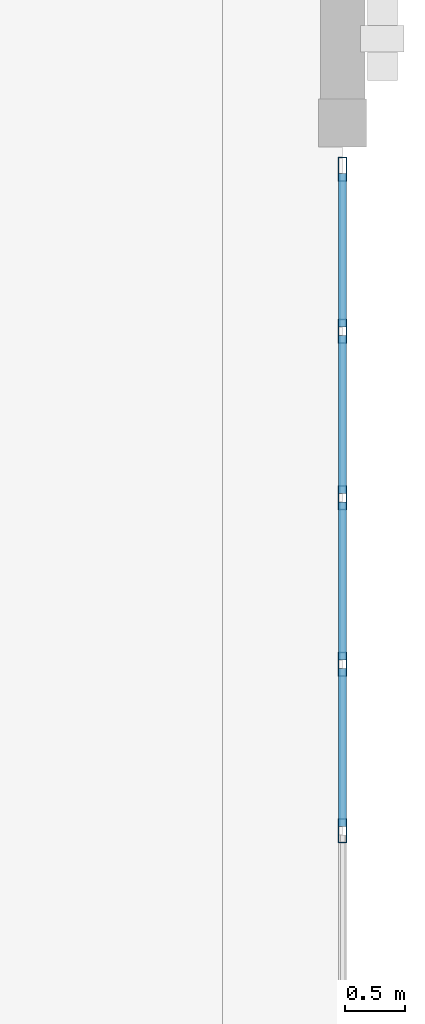
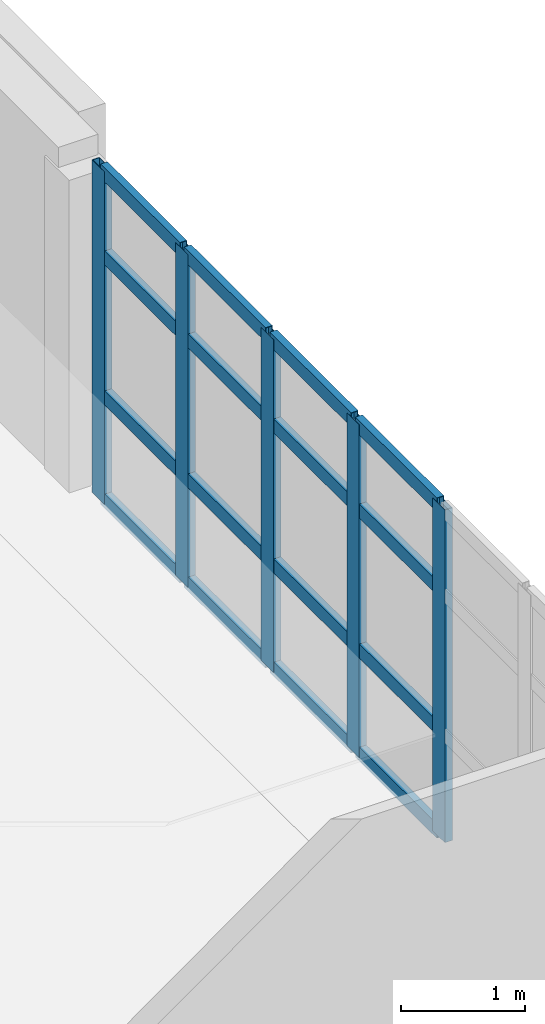
# One storey, part 13 of 30: 21 members, 1 element without a shape of its own.
"""IFC4 building model written with IfcOpenShell, lengths in metres."""

import ifcopenshell
import ifcopenshell.guid

model = None  # the IFC model being written
_history = None  # IfcOwnerHistory: only IFC2X3 demands one
_inside = {}  # id of a spatial element -> (the spatial element, [elements in it])
_under = {}  # id of a project, library or spatial element -> (it, [spatial elements below it])
_declared = {}  # id of a project -> (the project, [libraries it declares])
_typed = {}  # id of a type object -> (the type object, [elements of that type])
_made_of = {}  # id of a material, layer set ... -> (it, [elements and type objects made of it])


def new_model(schema):
    """Start an empty IFC model of exactly this schema.

    Asked for "IFC4X3", IfcOpenShell would pick the latest addendum, in which some entities
    have other attributes; the version numbers below select the first issue.
    IFC2X3 requires an IfcOwnerHistory on every rooted entity: one is made here for all.
    """
    global model, _history
    if schema == "IFC4X3":
        model = ifcopenshell.file(schema_version=(4, 3, 0, 0))
    else:
        model = ifcopenshell.file(schema=schema)
    _inside.clear()
    _under.clear()
    _declared.clear()
    _typed.clear()
    _made_of.clear()
    _history = None
    if model.schema == "IFC2X3":
        org = make("IfcOrganization", Name="unknown")
        user = make(
            "IfcPersonAndOrganization",
            ThePerson=make("IfcPerson", FamilyName="unknown"),
            TheOrganization=org,
        )
        app = make(
            "IfcApplication",
            ApplicationDeveloper=org,
            Version="unknown",
            ApplicationFullName="unknown",
            ApplicationIdentifier="unknown",
        )
        _history = make(
            "IfcOwnerHistory",
            OwningUser=user,
            OwningApplication=app,
            ChangeAction="ADDED",
            CreationDate=0,
        )
    return model


def make(cls, **values):
    """One entity of the class cls with the attributes given. An attribute that is None is left unset."""
    return model.create_entity(
        cls, **{name: value for name, value in values.items() if value is not None}
    )


def rooted(cls, **values):
    """An entity with a GlobalId (a new one), such as an element, a storey or a relation."""
    return make(cls, GlobalId=ifcopenshell.guid.new(), OwnerHistory=_history, **values)


def si_unit(unit_type, name, prefix=None):
    """IfcSIUnit, for example si_unit("LENGTHUNIT", "METRE", prefix="MILLI")."""
    return make("IfcSIUnit", UnitType=unit_type, Prefix=prefix, Name=name)


def assignment(units):
    """IfcUnitAssignment: the units of a project."""
    return None if units is None else make("IfcUnitAssignment", Units=units)


def point(xyz):
    """IfcCartesianPoint."""
    return None if xyz is None else make("IfcCartesianPoint", Coordinates=xyz)


def direction(xyz):
    """IfcDirection."""
    return None if xyz is None else make("IfcDirection", DirectionRatios=xyz)


def frame(location, z_axis=None, x_axis=None):
    """IfcAxis2Placement3D, a coordinate frame: its origin and axes. An axis left out is left unset."""
    return make(
        "IfcAxis2Placement3D",
        Location=point(location),
        Axis=direction(z_axis),
        RefDirection=direction(x_axis),
    )


def frame_2d(location, x_axis=None):
    """IfcAxis2Placement2D, a coordinate frame in the plane: its origin and x axis."""
    return make(
        "IfcAxis2Placement2D", Location=point(location), RefDirection=direction(x_axis)
    )


def origin():
    """The frame at (0, 0, 0) with its axes left unset."""
    return frame((0.0, 0.0, 0.0))


def origin_2d():
    """The frame at (0, 0) in the plane with its x axis left unset."""
    return frame_2d((0.0, 0.0))


def place(relative_to, where):
    """IfcLocalPlacement: puts the frame where relative to a parent placement (None: the world)."""
    return make(
        "IfcLocalPlacement", PlacementRelTo=relative_to, RelativePlacement=where
    )


def context(
    kind, dimensions, precision=None, world=None, true_north=None, identifier=None
):
    """IfcGeometricRepresentationContext, for example the 3D "Model" context."""
    return make(
        "IfcGeometricRepresentationContext",
        ContextIdentifier=identifier,
        ContextType=kind,
        CoordinateSpaceDimension=dimensions,
        Precision=precision,
        WorldCoordinateSystem=world,
        TrueNorth=true_north,
    )


def subcontext(parent, identifier, kind, view, scale=None):
    """IfcGeometricRepresentationSubContext, for example "Body" below "Model"."""
    return make(
        "IfcGeometricRepresentationSubContext",
        ContextIdentifier=identifier,
        ContextType=kind,
        ParentContext=parent,
        TargetScale=scale,
        TargetView=view,
    )


def project(units=None, contexts=None):
    """IfcProject with its units and contexts."""
    return rooted(
        "IfcProject",
        Name="project",
        RepresentationContexts=contexts,
        UnitsInContext=assignment(units),
    )


def spatial(cls, under=None, at=None, **own):
    """A site, building, storey or space (cls), placed at a placement, below another one or the project."""
    s = rooted(cls, ObjectPlacement=at, **own)
    if under is not None:
        _under.setdefault(under.id(), (under, []))[1].append(s)
    return s


def profile(cls, at=None, kind="AREA", **sizes):
    """A parametric profile (cls). Its sizes go by their IFC names, for example OverallWidth=200.0."""
    return make(cls, ProfileType=kind, Position=at, **sizes)


def hollow_rectangle(**sizes):
    """IfcRectangleHollowProfileDef."""
    return profile("IfcRectangleHollowProfileDef", **sizes)


def extrude(swept, where, along, depth):
    """IfcExtrudedAreaSolid: the profile swept, set in the frame where, extruded along a direction by depth."""
    return make(
        "IfcExtrudedAreaSolid",
        SweptArea=swept,
        Position=where,
        ExtrudedDirection=direction(along),
        Depth=depth,
    )


def shape(context_of_items, identifier, shape_type, items):
    """IfcShapeRepresentation: the items that make up one representation, for example the "Body"."""
    return make(
        "IfcShapeRepresentation",
        ContextOfItems=context_of_items,
        RepresentationIdentifier=identifier,
        RepresentationType=shape_type,
        Items=items,
    )


def material(Name=None, Category=None):
    """IfcMaterial."""
    return make("IfcMaterial", Name=Name, Category=Category)


def layer(
    of_material, thickness, ventilated=None, Name=None, Category=None, Priority=None
):
    """IfcMaterialLayer: one layer of a wall or slab, of a material (None: an air gap)."""
    return make(
        "IfcMaterialLayer",
        Material=of_material,
        LayerThickness=thickness,
        IsVentilated=ventilated,
        Name=Name,
        Category=Category,
        Priority=Priority,
    )


def layer_set(layers, Name=None):
    """IfcMaterialLayerSet."""
    return make("IfcMaterialLayerSet", MaterialLayers=layers, LayerSetName=Name)


def material_profile(
    of_material, cross_section, Name=None, Category=None, Priority=None
):
    """IfcMaterialProfile: a cross section and its material."""
    return make(
        "IfcMaterialProfile",
        Name=Name,
        Material=of_material,
        Profile=cross_section,
        Priority=Priority,
        Category=Category,
    )


def profile_set(profiles, Name=None, composite=None):
    """IfcMaterialProfileSet."""
    return make(
        "IfcMaterialProfileSet",
        Name=Name,
        MaterialProfiles=profiles,
        CompositeProfile=composite,
    )


def made_of(thing, what):
    """Note that an element or type object is made of a material, layer set ...; save() writes the relation."""
    if what is not None:
        _made_of.setdefault(what.id(), (what, []))[1].append(thing)
    return thing


def type_object(cls, material=None, **own):
    """A type object (cls), such as IfcWallType, which elements share."""
    return made_of(rooted(cls, **own), material)


def element(
    cls,
    number,
    at=None,
    inside=None,
    cuts=None,
    type_object=None,
    material=None,
    context=None,
    identifier="Body",
    shape_type=None,
    held_by="IfcProductDefinitionShape",
    body=None,
    shapes=None,
    **own,
):
    """One element of the class cls, such as IfcWall. Its Tag is "e" and its number.

    at: its placement. inside: the storey or other place that contains it. cuts: it is an
    opening in that element (IfcRelVoidsElement). A single representation is given by context,
    identifier, shape_type and body (its items); several are given by shapes. held_by: the class
    of the entity that holds the representations. save() writes the other relations.
    """
    e = rooted(cls, Tag="e%d" % number, ObjectPlacement=at, **own)
    if body is not None:
        shapes = [shape(context, identifier, shape_type, body)]
    if shapes is not None:
        e.Representation = make(held_by, Representations=shapes)
    if inside is not None:
        _inside.setdefault(inside.id(), (inside, []))[1].append(e)
    if cuts is not None:
        rooted(
            "IfcRelVoidsElement", RelatingBuildingElement=cuts, RelatedOpeningElement=e
        )
    if type_object is not None:
        _typed.setdefault(type_object.id(), (type_object, []))[1].append(e)
    return made_of(e, material)


def aggregate(whole, parts):
    """IfcRelAggregates: a whole, such as a stair, and the parts it consists of."""
    return rooted("IfcRelAggregates", RelatingObject=whole, RelatedObjects=parts)


def save(model, path):
    """Write the relations noted so far, then the file.

    IfcRelAggregates (storeys below a building ...), IfcRelContainedInSpatialStructure (elements
    in a storey), IfcRelDefinesByType, IfcRelAssociatesMaterial and IfcRelDeclares: one each for
    every whole, place, type object, material and project.
    """
    for whole, parts in _under.values():
        aggregate(whole, parts)
    for where, things in _inside.values():
        rooted(
            "IfcRelContainedInSpatialStructure",
            RelatedElements=things,
            RelatingStructure=where,
        )
    for kind, things in _typed.values():
        rooted("IfcRelDefinesByType", RelatedObjects=things, RelatingType=kind)
    for what, things in _made_of.values():
        rooted("IfcRelAssociatesMaterial", RelatedObjects=things, RelatingMaterial=what)
    for by, libraries in _declared.values():
        rooted("IfcRelDeclares", RelatingContext=by, RelatedDefinitions=libraries)
    model.write(path)


model = new_model("IFC4")

# Units and contexts
model_context = context("Model", 3, precision=1e-05, world=origin(), true_north=direction((0.0, 1.0)))
body_context = subcontext(model_context, "Body", "Model", "MODEL_VIEW")
ifc_project = project(units=[si_unit("LENGTHUNIT", "METRE"), si_unit("AREAUNIT", "SQUARE_METRE"), si_unit("VOLUMEUNIT", "CUBIC_METRE"), si_unit("PLANEANGLEUNIT", "RADIAN"), si_unit("MASSUNIT", "GRAM", prefix="KILO")], contexts=[model_context])

# Site, building, storey
site_placement = place(None, origin())
site = spatial("IfcSite", under=ifc_project, at=site_placement, CompositionType="ELEMENT")
building_placement = place(site_placement, origin())
building = spatial("IfcBuilding", under=site, at=building_placement, Name="Ornek Quay Market", CompositionType="ELEMENT")
storey_placement = place(building_placement, frame((0.0, 0.0, 12.0)))
storey = spatial("IfcBuildingStorey", under=building, at=storey_placement, Name="L03", CompositionType="ELEMENT", Elevation=12.0)

# Curtain wall, members
ifc_material_1 = material(Name="Anodised bronze aluminium and triple low-e glass", Category="aluminium")
ifc_layer = layer(ifc_material_1, 0.18994140625, Name="Anodised bronze aluminium and triple low-e glass", Category="aluminium")
ifc_layer_set = layer_set([ifc_layer], Name="Anodised bronze aluminium and triple low-e glass")
curtain_wall_type = type_object("IfcCurtainWallType", Name="CW-FC-MOD1500", PredefinedType="USERDEFINED", material=ifc_layer_set)
curtain_wall_placement = place(storey_placement, origin())
curtain_wall = element("IfcCurtainWall", 1, at=curtain_wall_placement, inside=storey, type_object=curtain_wall_type, Name="Curtain wall CW-096", ObjectType="CURTAIN WALL", PredefinedType="USERDEFINED")
ifc_material_2 = material(Name="Anodised aluminium 6063-T6", Category="aluminium")
ifc_material_profile_1 = material_profile(ifc_material_2, hollow_rectangle(XDim=0.070068359375, YDim=0.199951171875, WallThickness=0.0048828125, at=origin_2d()), Name="CW-MUL-70x200", Category="aluminium")
ifc_profile_set_1 = profile_set([ifc_material_profile_1], Name="Anodised aluminium 6063-T6")
member_type_1 = type_object("IfcMemberType", Name="CW-MUL-70x200", PredefinedType="MULLION", material=ifc_profile_set_1)
member_1_placement = place(storey_placement, frame((180.0, 50.11669921875, 0.0), z_axis=(0.0, 0.0, 1.0), x_axis=(-1.0, 0.0, 0.0)))
member_1 = element("IfcMember", 2, at=member_1_placement, type_object=member_type_1, Name="CW-096 mullion 3", PredefinedType="MULLION", context=body_context, shape_type="SweptSolid", body=[
    extrude(hollow_rectangle(XDim=0.070068359375, YDim=0.199951171875, WallThickness=0.0048828125, at=origin_2d()), origin(), (0.0, 0.0, 1.0), 3.280029296875),
])
member_2_placement = place(storey_placement, frame((180.0, 51.5, 0.0), z_axis=(0.0, 0.0, 1.0), x_axis=(-1.0, 0.0, 0.0)))
member_2 = element("IfcMember", 3, at=member_2_placement, type_object=member_type_1, Name="CW-096 mullion 4", PredefinedType="MULLION", context=body_context, shape_type="SweptSolid", body=[
    extrude(hollow_rectangle(XDim=0.070068359375, YDim=0.199951171875, WallThickness=0.0048828125, at=origin_2d()), origin(), (0.0, 0.0, 1.0), 3.280029296875),
])
member_3_placement = place(storey_placement, frame((180.0, 52.88330078125, 0.0), z_axis=(0.0, 0.0, 1.0), x_axis=(-1.0, 0.0, 0.0)))
member_3 = element("IfcMember", 4, at=member_3_placement, type_object=member_type_1, Name="CW-096 mullion 5", PredefinedType="MULLION", context=body_context, shape_type="SweptSolid", body=[
    extrude(hollow_rectangle(XDim=0.070068359375, YDim=0.199951171875, WallThickness=0.0048828125, at=origin_2d()), origin(), (0.0, 0.0, 1.0), 3.280029296875),
])
member_4_placement = place(storey_placement, frame((180.0, 54.2666015625, 0.0), z_axis=(0.0, 0.0, 1.0), x_axis=(-1.0, 0.0, 0.0)))
member_4 = element("IfcMember", 5, at=member_4_placement, type_object=member_type_1, Name="CW-096 mullion 6", PredefinedType="MULLION", context=body_context, shape_type="SweptSolid", body=[
    extrude(hollow_rectangle(XDim=0.070068359375, YDim=0.199951171875, WallThickness=0.0048828125, at=origin_2d()), origin(), (0.0, 0.0, 1.0), 3.280029296875),
])
member_5_placement = place(storey_placement, frame((180.0, 55.614990234375, 0.0), z_axis=(0.0, 0.0, 1.0), x_axis=(-1.0, 0.0, 0.0)))
member_5 = element("IfcMember", 6, at=member_5_placement, type_object=member_type_1, Name="CW-096 mullion 7", PredefinedType="MULLION", context=body_context, shape_type="SweptSolid", body=[
    extrude(hollow_rectangle(XDim=0.070068359375, YDim=0.199951171875, WallThickness=0.0048828125, at=origin_2d()), origin(), (0.0, 0.0, 1.0), 3.280029296875),
])
ifc_material_profile_2 = material_profile(ifc_material_2, hollow_rectangle(XDim=0.06494140625, YDim=0.139892578125, WallThickness=0.00439453125, at=origin_2d()), Name="CW-TRN-65x140", Category="aluminium")
ifc_profile_set_2 = profile_set([ifc_material_profile_2], Name="Anodised aluminium 6063-T6")
member_type_2 = type_object("IfcMemberType", Name="CW-TRN-65x140", PredefinedType="USERDEFINED", material=ifc_profile_set_2)
member_6_placement = place(storey_placement, frame((180.0, 50.151611328125, 0.032470703125), z_axis=(0.0, 1.0, 0.0), x_axis=(-1.0, 0.0, 0.0)))
member_6 = element("IfcMember", 7, at=member_6_placement, type_object=member_type_2, Name="CW-096 transom 3.1", ObjectType="TRANSOM", PredefinedType="USERDEFINED", context=body_context, shape_type="SweptSolid", body=[
    extrude(hollow_rectangle(XDim=0.06494140625, YDim=0.139892578125, WallThickness=0.00439453125, at=origin_2d()), origin(), (0.0, 0.0, 1.0), 1.3134765625),
])
member_7_placement = place(storey_placement, frame((180.0, 50.151611328125, 1.050048828125), z_axis=(0.0, 1.0, 0.0), x_axis=(-1.0, 0.0, 0.0)))
member_7 = element("IfcMember", 8, at=member_7_placement, type_object=member_type_2, Name="CW-096 transom 3.2", ObjectType="TRANSOM", PredefinedType="USERDEFINED", context=body_context, shape_type="SweptSolid", body=[
    extrude(hollow_rectangle(XDim=0.06494140625, YDim=0.139892578125, WallThickness=0.00439453125, at=origin_2d()), origin(), (0.0, 0.0, 1.0), 1.3134765625),
])
member_8_placement = place(storey_placement, frame((180.0, 50.151611328125, 2.429931640625), z_axis=(0.0, 1.0, 0.0), x_axis=(-1.0, 0.0, 0.0)))
member_8 = element("IfcMember", 9, at=member_8_placement, type_object=member_type_2, Name="CW-096 transom 3.3", ObjectType="TRANSOM", PredefinedType="USERDEFINED", context=body_context, shape_type="SweptSolid", body=[
    extrude(hollow_rectangle(XDim=0.06494140625, YDim=0.139892578125, WallThickness=0.00439453125, at=origin_2d()), origin(), (0.0, 0.0, 1.0), 1.3134765625),
])
member_9_placement = place(storey_placement, frame((180.0, 50.151611328125, 3.24755859375), z_axis=(0.0, 1.0, 0.0), x_axis=(-1.0, 0.0, 0.0)))
member_9 = element("IfcMember", 10, at=member_9_placement, type_object=member_type_2, Name="CW-096 transom 3.4", ObjectType="TRANSOM", PredefinedType="USERDEFINED", context=body_context, shape_type="SweptSolid", body=[
    extrude(hollow_rectangle(XDim=0.06494140625, YDim=0.139892578125, WallThickness=0.00439453125, at=origin_2d()), origin(), (0.0, 0.0, 1.0), 1.3134765625),
])
member_10_placement = place(storey_placement, frame((180.0, 51.534912109375, 0.032470703125), z_axis=(0.0, 1.0, 0.0), x_axis=(-1.0, 0.0, 0.0)))
member_10 = element("IfcMember", 11, at=member_10_placement, type_object=member_type_2, Name="CW-096 transom 4.1", ObjectType="TRANSOM", PredefinedType="USERDEFINED", context=body_context, shape_type="SweptSolid", body=[
    extrude(hollow_rectangle(XDim=0.06494140625, YDim=0.139892578125, WallThickness=0.00439453125, at=origin_2d()), origin(), (0.0, 0.0, 1.0), 1.3134765625),
])
member_11_placement = place(storey_placement, frame((180.0, 51.534912109375, 1.050048828125), z_axis=(0.0, 1.0, 0.0), x_axis=(-1.0, 0.0, 0.0)))
member_11 = element("IfcMember", 12, at=member_11_placement, type_object=member_type_2, Name="CW-096 transom 4.2", ObjectType="TRANSOM", PredefinedType="USERDEFINED", context=body_context, shape_type="SweptSolid", body=[
    extrude(hollow_rectangle(XDim=0.06494140625, YDim=0.139892578125, WallThickness=0.00439453125, at=origin_2d()), origin(), (0.0, 0.0, 1.0), 1.3134765625),
])
member_12_placement = place(storey_placement, frame((180.0, 51.534912109375, 2.429931640625), z_axis=(0.0, 1.0, 0.0), x_axis=(-1.0, 0.0, 0.0)))
member_12 = element("IfcMember", 13, at=member_12_placement, type_object=member_type_2, Name="CW-096 transom 4.3", ObjectType="TRANSOM", PredefinedType="USERDEFINED", context=body_context, shape_type="SweptSolid", body=[
    extrude(hollow_rectangle(XDim=0.06494140625, YDim=0.139892578125, WallThickness=0.00439453125, at=origin_2d()), origin(), (0.0, 0.0, 1.0), 1.3134765625),
])
member_13_placement = place(storey_placement, frame((180.0, 51.534912109375, 3.24755859375), z_axis=(0.0, 1.0, 0.0), x_axis=(-1.0, 0.0, 0.0)))
member_13 = element("IfcMember", 14, at=member_13_placement, type_object=member_type_2, Name="CW-096 transom 4.4", ObjectType="TRANSOM", PredefinedType="USERDEFINED", context=body_context, shape_type="SweptSolid", body=[
    extrude(hollow_rectangle(XDim=0.06494140625, YDim=0.139892578125, WallThickness=0.00439453125, at=origin_2d()), origin(), (0.0, 0.0, 1.0), 1.3134765625),
])
member_14_placement = place(storey_placement, frame((180.0, 52.918212890625, 0.032470703125), z_axis=(0.0, 1.0, 0.0), x_axis=(-1.0, 0.0, 0.0)))
member_14 = element("IfcMember", 15, at=member_14_placement, type_object=member_type_2, Name="CW-096 transom 5.1", ObjectType="TRANSOM", PredefinedType="USERDEFINED", context=body_context, shape_type="SweptSolid", body=[
    extrude(hollow_rectangle(XDim=0.06494140625, YDim=0.139892578125, WallThickness=0.00439453125, at=origin_2d()), origin(), (0.0, 0.0, 1.0), 1.3134765625),
])
member_15_placement = place(storey_placement, frame((180.0, 52.918212890625, 1.050048828125), z_axis=(0.0, 1.0, 0.0), x_axis=(-1.0, 0.0, 0.0)))
member_15 = element("IfcMember", 16, at=member_15_placement, type_object=member_type_2, Name="CW-096 transom 5.2", ObjectType="TRANSOM", PredefinedType="USERDEFINED", context=body_context, shape_type="SweptSolid", body=[
    extrude(hollow_rectangle(XDim=0.06494140625, YDim=0.139892578125, WallThickness=0.00439453125, at=origin_2d()), origin(), (0.0, 0.0, 1.0), 1.3134765625),
])
member_16_placement = place(storey_placement, frame((180.0, 52.918212890625, 2.429931640625), z_axis=(0.0, 1.0, 0.0), x_axis=(-1.0, 0.0, 0.0)))
member_16 = element("IfcMember", 17, at=member_16_placement, type_object=member_type_2, Name="CW-096 transom 5.3", ObjectType="TRANSOM", PredefinedType="USERDEFINED", context=body_context, shape_type="SweptSolid", body=[
    extrude(hollow_rectangle(XDim=0.06494140625, YDim=0.139892578125, WallThickness=0.00439453125, at=origin_2d()), origin(), (0.0, 0.0, 1.0), 1.3134765625),
])
member_17_placement = place(storey_placement, frame((180.0, 52.918212890625, 3.24755859375), z_axis=(0.0, 1.0, 0.0), x_axis=(-1.0, 0.0, 0.0)))
member_17 = element("IfcMember", 18, at=member_17_placement, type_object=member_type_2, Name="CW-096 transom 5.4", ObjectType="TRANSOM", PredefinedType="USERDEFINED", context=body_context, shape_type="SweptSolid", body=[
    extrude(hollow_rectangle(XDim=0.06494140625, YDim=0.139892578125, WallThickness=0.00439453125, at=origin_2d()), origin(), (0.0, 0.0, 1.0), 1.3134765625),
])
member_18_placement = place(storey_placement, frame((180.0, 54.3017578125, 0.032470703125), z_axis=(0.0, 1.0, 0.0), x_axis=(-1.0, 0.0, 0.0)))
member_18 = element("IfcMember", 19, at=member_18_placement, type_object=member_type_2, Name="CW-096 transom 6.1", ObjectType="TRANSOM", PredefinedType="USERDEFINED", context=body_context, shape_type="SweptSolid", body=[
    extrude(hollow_rectangle(XDim=0.06494140625, YDim=0.139892578125, WallThickness=0.00439453125, at=origin_2d()), origin(), (0.0, 0.0, 1.0), 1.2783203125),
])
member_19_placement = place(storey_placement, frame((180.0, 54.3017578125, 1.050048828125), z_axis=(0.0, 1.0, 0.0), x_axis=(-1.0, 0.0, 0.0)))
member_19 = element("IfcMember", 20, at=member_19_placement, type_object=member_type_2, Name="CW-096 transom 6.2", ObjectType="TRANSOM", PredefinedType="USERDEFINED", context=body_context, shape_type="SweptSolid", body=[
    extrude(hollow_rectangle(XDim=0.06494140625, YDim=0.139892578125, WallThickness=0.00439453125, at=origin_2d()), origin(), (0.0, 0.0, 1.0), 1.2783203125),
])
member_20_placement = place(storey_placement, frame((180.0, 54.3017578125, 2.429931640625), z_axis=(0.0, 1.0, 0.0), x_axis=(-1.0, 0.0, 0.0)))
member_20 = element("IfcMember", 21, at=member_20_placement, type_object=member_type_2, Name="CW-096 transom 6.3", ObjectType="TRANSOM", PredefinedType="USERDEFINED", context=body_context, shape_type="SweptSolid", body=[
    extrude(hollow_rectangle(XDim=0.06494140625, YDim=0.139892578125, WallThickness=0.00439453125, at=origin_2d()), origin(), (0.0, 0.0, 1.0), 1.2783203125),
])
member_21_placement = place(storey_placement, frame((180.0, 54.3017578125, 3.24755859375), z_axis=(0.0, 1.0, 0.0), x_axis=(-1.0, 0.0, 0.0)))
member_21 = element("IfcMember", 22, at=member_21_placement, type_object=member_type_2, Name="CW-096 transom 6.4", ObjectType="TRANSOM", PredefinedType="USERDEFINED", context=body_context, shape_type="SweptSolid", body=[
    extrude(hollow_rectangle(XDim=0.06494140625, YDim=0.139892578125, WallThickness=0.00439453125, at=origin_2d()), origin(), (0.0, 0.0, 1.0), 1.2783203125),
])
aggregate(curtain_wall, [member_1, member_2, member_3, member_4, member_5, member_6, member_7, member_8, member_9, member_10, member_11, member_12, member_13, member_14, member_15, member_16, member_17, member_18, member_19, member_20, member_21])

save(model, "model.ifc")
